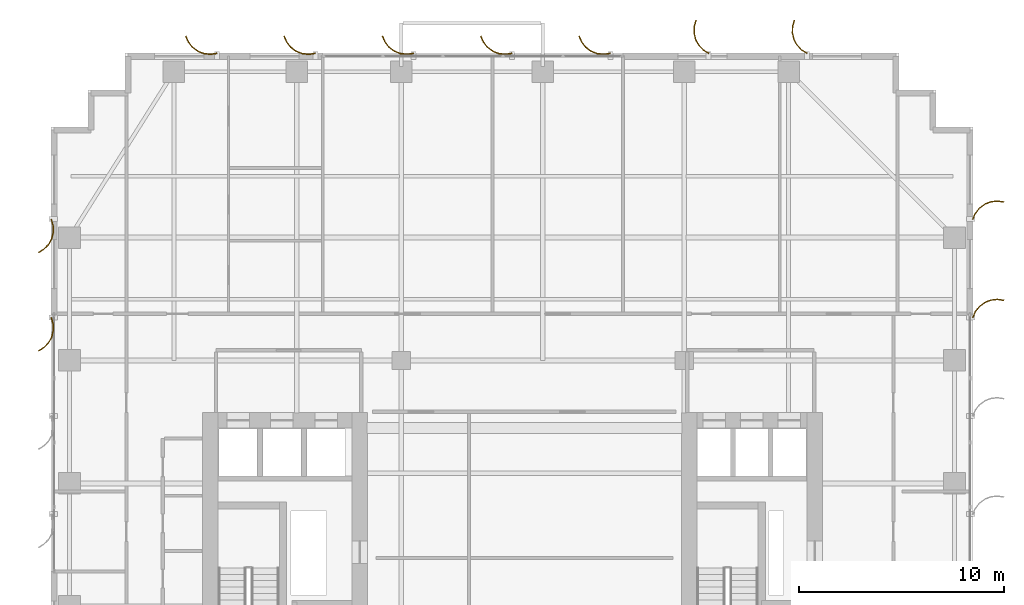
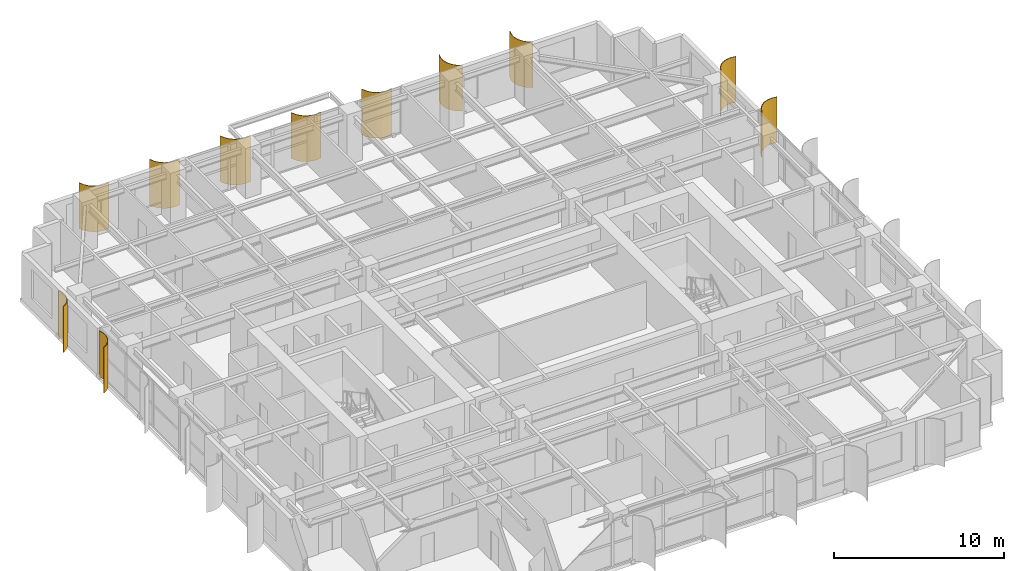
# One storey, part 27 of 27: 11 shading devices.
"""IFC4 building model written with IfcOpenShell, lengths in metres."""

from ifc_helpers import new_model, si_unit, direction, frame, origin, place, context, subcontext, project, spatial, polyline, outline, extrude, source, transform, mapped, material, layer, layer_set, type_object, element, save


model = new_model("IFC4")

# Units and contexts
model_context = context("Model", 3, precision=1e-05, world=origin(), true_north=direction((0.0, 1.0)))
body_context = subcontext(model_context, "Body", "Model", "MODEL_VIEW")
ifc_project = project(units=[si_unit("LENGTHUNIT", "METRE"), si_unit("AREAUNIT", "SQUARE_METRE"), si_unit("VOLUMEUNIT", "CUBIC_METRE"), si_unit("PLANEANGLEUNIT", "RADIAN"), si_unit("MASSUNIT", "GRAM", prefix="KILO")], contexts=[model_context])

# Site, building, storey
site_placement = place(None, origin())
site = spatial("IfcSite", under=ifc_project, at=site_placement, CompositionType="ELEMENT")
building_placement = place(site_placement, origin())
building = spatial("IfcBuilding", under=site, at=building_placement, Name="Khoralis Quay Care Tower", CompositionType="ELEMENT")
storey_placement = place(building_placement, frame((0.0, 0.0, 105.300048828125)))
storey = spatial("IfcBuildingStorey", under=building, at=storey_placement, Name="L27", CompositionType="ELEMENT", Elevation=105.300048828125)

# Shading devices
ifc_material = material(Name="Brushed pale anodised aluminium", Category="aluminium")
ifc_layer = layer(ifc_material, 0.044921875)
ifc_layer_set = layer_set([ifc_layer], Name="Brushed pale anodised aluminium")
shading_device_type = type_object("IfcShadingDeviceType", Name="SHD-FIN-1250", PredefinedType="USERDEFINED", material=ifc_layer_set)
shared_shape_1 = source(origin(), body_context, "Body", "SweptSolid", [
    extrude(outline(polyline([(0.0, 0.0), (0.17041015625, 0.2783203125), (0.4072265625, 0.5029296875), (0.694091796875, 0.658447265625), (1.01123046875, 0.734619140625), (1.33740234375, 0.72607421875), (1.650390625, 0.633544921875), (1.632080078125, 0.59228515625), (1.330322265625, 0.681640625), (1.015869140625, 0.68994140625), (0.710205078125, 0.616455078125), (0.43359375, 0.466552734375), (0.20556640625, 0.25), (0.041015625, -0.018310546875), (0.0, 0.0)])), origin(), (0.0, 0.0, 1.0), 3.280029296875),
])
for number, where, z_axis, x_axis, name in (
    (1, (36.89990234375, 44.969970703125, 0.02001953125), (0.0, 0.0, 1.0), (0.0, 1.0, 0.0), "L27 Curved Solar Fin P1E10-01"),
    (2, (32.10009765625, 44.969970703125, 0.02001953125), (0.0, 0.0, 1.0), (0.0, 1.0, 0.0), "L27 Curved Solar Fin P1E10-02"),
):
    element("IfcShadingDevice", number, at=place(storey_placement, frame(where, z_axis=z_axis, x_axis=x_axis)), inside=storey, type_object=shading_device_type, Name=name, ObjectType="FIN", PredefinedType="USERDEFINED", context=body_context, shape_type="MappedRepresentation", body=[
        mapped(shared_shape_1, transform((0.0, 0.0, 0.0), scale=1.0)),
    ])
shared_shape_2 = source(origin(), body_context, "Body", "SweptSolid", [
    extrude(outline(polyline([(0.0, 0.0), (-0.04833984375, 0.32275390625), (-0.01123046875, 0.64697265625), (0.1083984375, 0.950439453125), (0.302490234375, 1.212890625), (0.557861328125, 1.416015625), (0.85693359375, 1.546142578125), (0.869384765625, 1.5029296875), (0.5810546875, 1.37744140625), (0.334716796875, 1.181640625), (0.147705078125, 0.9287109375), (0.032470703125, 0.635986328125), (-0.003173828125, 0.323486328125), (0.043212890625, 0.012451171875), (0.0, 0.0)])), origin(), (0.0, 0.0, 1.0), 3.280029296875),
])
for number, where, z_axis, x_axis, name in (
    (3, (27.300048828125, 44.969970703125, 0.02001953125), (0.0, 0.0, 1.0), (0.0, 1.0, 0.0), "L27 Curved Solar Fin P1E10-03"),
    (4, (22.5, 44.969970703125, 0.02001953125), (0.0, 0.0, 1.0), (0.0, 1.0, 0.0), "L27 Curved Solar Fin P1E10-04"),
    (5, (17.699951171875, 44.969970703125, 0.02001953125), (0.0, 0.0, 1.0), (0.0, 1.0, 0.0), "L27 Curved Solar Fin P1E10-05"),
    (6, (12.89990234375, 44.969970703125, 0.02001953125), (0.0, 0.0, 1.0), (0.0, 1.0, 0.0), "L27 Curved Solar Fin P1E10-06"),
    (7, (8.10009765625, 44.969970703125, 0.02001953125), (0.0, 0.0, 1.0), (0.0, 1.0, 0.0), "L27 Curved Solar Fin P1E10-07"),
):
    element("IfcShadingDevice", number, at=place(storey_placement, frame(where, z_axis=z_axis, x_axis=x_axis)), inside=storey, type_object=shading_device_type, Name=name, ObjectType="FIN", PredefinedType="USERDEFINED", context=body_context, shape_type="MappedRepresentation", body=[
        mapped(shared_shape_2, transform((0.0, 0.0, 0.0), scale=1.0)),
    ])
shared_shape_3 = source(origin(), body_context, "Body", "SweptSolid", [
    extrude(outline(polyline([(0.0, 0.0), (-0.0927734375, 0.31298828125), (-0.101318359375, 0.63916015625), (-0.025146484375, 0.956298828125), (0.130615234375, 1.2431640625), (0.355224609375, 1.479736328125), (0.633544921875, 1.650390625), (0.65185546875, 1.609130859375), (0.383544921875, 1.44482421875), (0.1669921875, 1.216796875), (0.01708984375, 0.940185546875), (-0.056396484375, 0.63427734375), (-0.04833984375, 0.31982421875), (0.041015625, 0.018310546875), (0.0, 0.0)])), origin(), (0.0, 0.0, 1.0), 3.280029296875),
])
for number, where, z_axis, x_axis, name in (
    (8, (0.030029296875, 36.89990234375, 0.02001953125), (0.0, 0.0, 1.0), (-1.0, 0.0, 0.0), "L27 Curved Solar Fin P1E15-01"),
    (9, (0.030029296875, 32.10009765625, 0.02001953125), (0.0, 0.0, 1.0), (-1.0, 0.0, 0.0), "L27 Curved Solar Fin P1E15-02"),
):
    element("IfcShadingDevice", number, at=place(storey_placement, frame(where, z_axis=z_axis, x_axis=x_axis)), inside=storey, type_object=shading_device_type, Name=name, ObjectType="FIN", PredefinedType="USERDEFINED", context=body_context, shape_type="MappedRepresentation", body=[
        mapped(shared_shape_3, transform((0.0, 0.0, 0.0), scale=1.0)),
    ])
shared_shape_4 = source(origin(), body_context, "Body", "SweptSolid", [
    extrude(outline(polyline([(0.0, 0.0), (0.130126953125, 0.29931640625), (0.333251953125, 0.5546875), (0.595458984375, 0.748779296875), (0.899169921875, 0.868408203125), (1.223388671875, 0.9052734375), (1.546142578125, 0.85693359375), (1.53369140625, 0.813720703125), (1.22265625, 0.8603515625), (0.91015625, 0.82470703125), (0.617431640625, 0.70947265625), (0.364501953125, 0.522216796875), (0.168701171875, 0.276123046875), (0.043212890625, -0.012451171875), (0.0, 0.0)])), origin(), (0.0, 0.0, 1.0), 3.280029296875),
])
for number, where, z_axis, x_axis, name in (
    (10, (44.969970703125, 32.10009765625, 0.02001953125), (0.0, 0.0, 1.0), (1.0, 0.0, 0.0), "L27 Curved Solar Fin P1E5-06"),
    (11, (44.969970703125, 36.89990234375, 0.02001953125), (0.0, 0.0, 1.0), (1.0, 0.0, 0.0), "L27 Curved Solar Fin P1E5-07"),
):
    element("IfcShadingDevice", number, at=place(storey_placement, frame(where, z_axis=z_axis, x_axis=x_axis)), inside=storey, type_object=shading_device_type, Name=name, ObjectType="FIN", PredefinedType="USERDEFINED", context=body_context, shape_type="MappedRepresentation", body=[
        mapped(shared_shape_4, transform((0.0, 0.0, 0.0), scale=1.0)),
    ])

save(model, "model.ifc")
